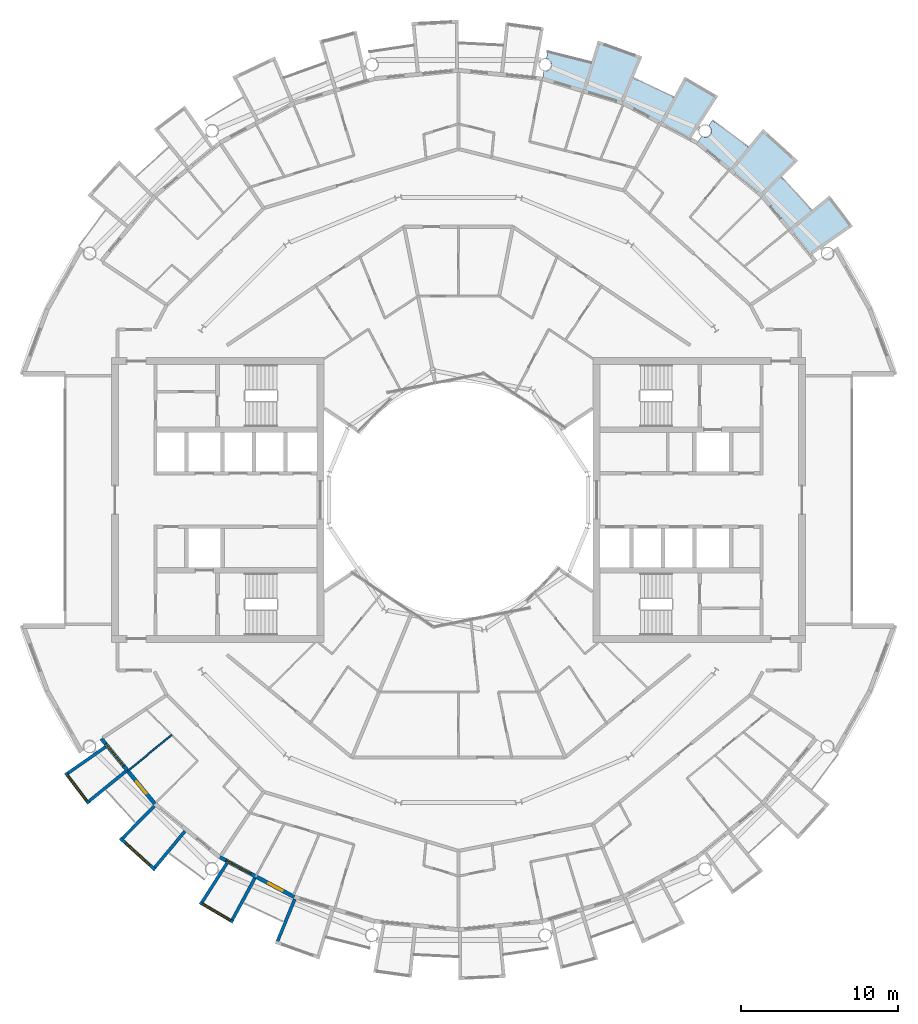
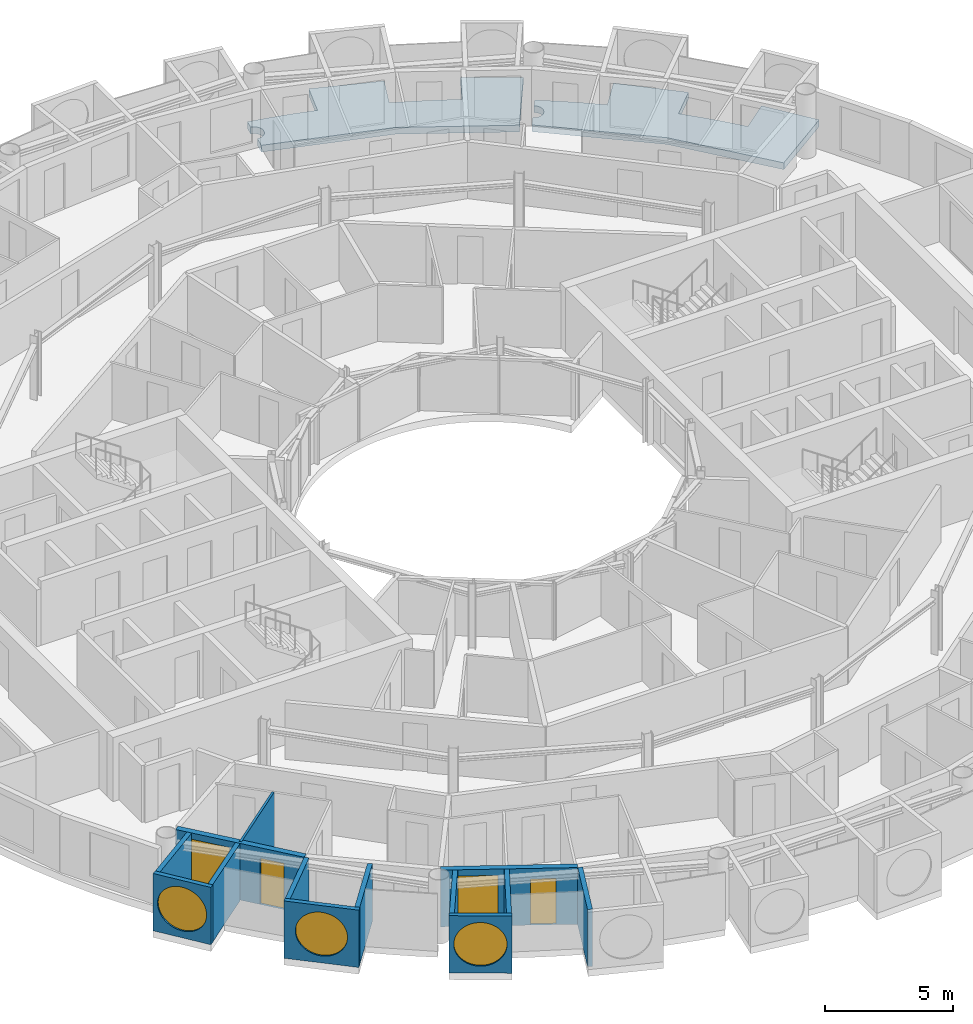
# One storey, part 14 of 27: 13 walls, 5 windows, 2 doors, 2 slabs, 7 openings.
"""IFC4 building model written with IfcOpenShell, lengths in metres."""

from ifc_helpers import new_model, si_unit, direction, frame, frame_2d, origin, place, context, subcontext, project, spatial, polyline, rectangle, circle, outline, extrude, material, layer, layer_set, type_object, element, fill, save


model = new_model("IFC4")

# Units and contexts
model_context = context("Model", 3, precision=1e-05, world=origin(), true_north=direction((0.0, 1.0)))
body_context = subcontext(model_context, "Body", "Model", "MODEL_VIEW")
ifc_project = project(units=[si_unit("LENGTHUNIT", "METRE"), si_unit("AREAUNIT", "SQUARE_METRE"), si_unit("VOLUMEUNIT", "CUBIC_METRE"), si_unit("PLANEANGLEUNIT", "RADIAN"), si_unit("MASSUNIT", "GRAM", prefix="KILO")], contexts=[model_context])

# Site, building, storey
site_placement = place(None, origin())
site = spatial("IfcSite", under=ifc_project, at=site_placement, CompositionType="ELEMENT")
building_placement = place(site_placement, origin())
building = spatial("IfcBuilding", under=site, at=building_placement, Name="Maasbend Ring Residences", CompositionType="ELEMENT")
storey_placement = place(building_placement, frame((0.0, 0.0, 199.35009765625)))
storey = spatial("IfcBuildingStorey", under=building, at=storey_placement, Name="L57", CompositionType="ELEMENT", Elevation=199.35009765625)

# Slabs
ifc_material_1 = material(Name="Concrete C40/50", Category="concrete")
ifc_layer_1 = layer(ifc_material_1, 0.199951171875)
ifc_layer_set_1 = layer_set([ifc_layer_1], Name="Concrete C40/50")
slab_type = type_object("IfcSlabType", Name="SL-LOGGIA", PredefinedType="FLOOR", material=ifc_layer_set_1)
slab_1_placement = place(storey_placement, frame((0.0, 0.0, -0.35009765625)))
element("IfcSlab", 1, at=slab_1_placement, inside=storey, type_object=slab_type, Name="Loggia floor 2", PredefinedType="FLOOR", context=body_context, shape_type="SweptSolid", body=[
    extrude(outline(polyline([(5.451904296875, 27.2548828125), (5.4619140625, 27.25390625), (5.471923828125, 27.2529296875), (5.48193359375, 27.251953125), (5.491943359375, 27.251953125), (5.501953125, 27.251953125), (5.510986328125, 27.251953125), (5.52099609375, 27.251953125), (5.531005859375, 27.2529296875), (5.541015625, 27.25390625), (5.551025390625, 27.2548828125), (5.56103515625, 27.256103515625), (5.571044921875, 27.258056640625), (5.5810546875, 27.259033203125), (5.591064453125, 27.260986328125), (5.60009765625, 27.263916015625), (5.610107421875, 27.26611328125), (5.6201171875, 27.26904296875), (5.62890625, 27.27197265625), (5.637939453125, 27.27490234375), (5.64794921875, 27.279052734375), (5.656982421875, 27.282958984375), (5.666015625, 27.285888671875), (5.675048828125, 27.291015625), (5.68408203125, 27.294921875), (5.693115234375, 27.300048828125), (5.701904296875, 27.303955078125), (5.7099609375, 27.30908203125), (5.718994140625, 27.31494140625), (5.72705078125, 27.320068359375), (5.736083984375, 27.325927734375), (5.743896484375, 27.33203125), (5.751953125, 27.337890625), (5.759033203125, 27.343994140625), (5.76708984375, 27.35009765625), (5.77392578125, 27.35693359375), (5.781982421875, 27.364013671875), (5.7890625, 27.37109375), (5.7958984375, 27.3779296875), (5.802978515625, 27.385009765625), (5.80908203125, 27.39306640625), (5.81591796875, 27.39990234375), (5.822021484375, 27.407958984375), (5.827880859375, 27.416015625), (5.833984375, 27.424072265625), (5.839111328125, 27.431884765625), (5.844970703125, 27.44091796875), (5.85009765625, 27.448974609375), (5.85498046875, 27.4580078125), (5.860107421875, 27.466064453125), (5.864990234375, 27.47509765625), (5.868896484375, 27.48388671875), (5.873046875, 27.492919921875), (5.876953125, 27.5029296875), (5.881103515625, 27.511962890625), (5.884033203125, 27.52099609375), (5.886962890625, 27.531005859375), (5.889892578125, 27.5400390625), (5.89306640625, 27.550048828125), (5.89599609375, 27.55908203125), (5.89794921875, 27.569091796875), (5.89990234375, 27.5791015625), (5.902099609375, 27.589111328125), (5.904052734375, 27.597900390625), (5.905029296875, 27.60791015625), (5.906005859375, 27.617919921875), (5.906982421875, 27.6279296875), (5.907958984375, 27.637939453125), (5.907958984375, 27.64794921875), (5.907958984375, 27.657958984375), (5.907958984375, 27.66796875), (5.907958984375, 27.677978515625), (5.906982421875, 27.68798828125), (5.906005859375, 27.697998046875), (5.905029296875, 27.7080078125), (5.904052734375, 27.718017578125), (5.902099609375, 27.72802734375), (5.89990234375, 27.737060546875), (5.89794921875, 27.7470703125), (5.89599609375, 27.757080078125), (5.89306640625, 27.76708984375), (5.889892578125, 27.77587890625), (5.886962890625, 27.785888671875), (5.884033203125, 27.794921875), (5.881103515625, 27.803955078125), (5.876953125, 27.81396484375), (5.873046875, 27.822998046875), (5.868896484375, 27.83203125), (5.864990234375, 27.841064453125), (5.860107421875, 27.85009765625), (5.85498046875, 27.85791015625), (5.85009765625, 27.866943359375), (5.844970703125, 27.8759765625), (5.839111328125, 27.884033203125), (5.833984375, 27.89208984375), (5.827880859375, 27.89990234375), (5.822021484375, 27.907958984375), (5.81591796875, 27.916015625), (5.80908203125, 27.924072265625), (5.802978515625, 27.930908203125), (5.7958984375, 27.93798828125), (5.7890625, 27.946044921875), (5.781982421875, 27.952880859375), (5.77392578125, 27.958984375), (5.76708984375, 27.966064453125), (5.759033203125, 27.971923828125), (5.751953125, 27.97900390625), (5.743896484375, 27.985107421875), (5.736083984375, 27.989990234375), (5.72705078125, 27.99609375), (5.718994140625, 28.001953125), (5.7099609375, 28.007080078125), (5.701904296875, 28.011962890625), (5.693115234375, 28.01708984375), (5.68408203125, 28.02099609375), (5.675048828125, 28.02587890625), (5.666015625, 28.030029296875), (5.656982421875, 28.033935546875), (5.64794921875, 28.037109375), (5.637939453125, 28.041015625), (5.62890625, 28.0439453125), (5.6201171875, 28.047119140625), (5.610107421875, 28.050048828125), (5.60009765625, 28.052001953125), (5.591064453125, 28.054931640625), (5.5810546875, 28.056884765625), (5.657958984375, 28.443115234375), (5.657958984375, 28.443115234375), (5.657958984375, 28.443115234375), (6.5849609375, 28.241943359375), (6.5849609375, 28.241943359375), (7.506103515625, 28.011962890625), (7.506103515625, 28.011962890625), (8.41796875, 27.7509765625), (8.41796875, 27.7509765625), (8.41796875, 27.7509765625), (8.41796875, 27.7509765625), (8.41796875, 27.7509765625), (8.41796875, 27.7509765625), (8.41796875, 27.7509765625), (8.41796875, 27.7509765625), (8.41796875, 27.7509765625), (8.41796875, 27.7509765625), (8.41796875, 27.751953125), (8.41796875, 27.751953125), (8.41796875, 27.751953125), (8.41796875, 27.751953125), (8.41796875, 27.751953125), (8.41796875, 27.751953125), (8.41796875, 27.751953125), (8.85400390625, 29.18701171875), (8.85400390625, 29.18701171875), (8.85400390625, 29.18701171875), (11.672119140625, 28.177978515625), (11.672119140625, 28.177978515625), (11.672119140625, 28.177978515625), (11.097900390625, 26.79296875), (11.097900390625, 26.79296875), (11.097900390625, 26.79296875), (11.097900390625, 26.79296875), (11.097900390625, 26.79296875), (11.097900390625, 26.79296875), (11.097900390625, 26.79296875), (11.097900390625, 26.79296875), (11.097900390625, 26.79296875), (11.097900390625, 26.79296875), (11.097900390625, 26.7919921875), (11.097900390625, 26.7919921875), (11.097900390625, 26.7919921875), (11.097900390625, 26.7919921875), (11.097900390625, 26.7919921875), (11.097900390625, 26.7919921875), (11.097900390625, 26.7919921875), (11.968994140625, 26.4150390625), (11.968994140625, 26.4150390625), (12.825927734375, 26.009033203125), (12.825927734375, 26.009033203125), (13.669921875, 25.575927734375), (13.669921875, 25.575927734375), (13.669921875, 25.575927734375), (13.669921875, 25.575927734375), (13.669921875, 25.575927734375), (13.669921875, 25.575927734375), (13.669921875, 25.575927734375), (13.669921875, 25.575927734375), (13.669921875, 25.575927734375), (13.669921875, 25.575927734375), (13.6708984375, 25.575927734375), (13.6708984375, 25.575927734375), (13.6708984375, 25.575927734375), (13.6708984375, 25.575927734375), (13.6708984375, 25.575927734375), (13.6708984375, 25.575927734375), (13.6708984375, 25.575927734375), (14.3779296875, 26.89892578125), (14.3779296875, 26.89892578125), (14.3779296875, 26.89892578125), (16.487060546875, 25.659912109375), (16.487060546875, 25.659912109375), (16.487060546875, 25.659912109375), (14.73291015625, 22.930908203125), (14.73291015625, 22.930908203125), (14.73291015625, 22.930908203125), (12.806884765625, 23.9609375), (10.447021484375, 25.221923828125), (10.447021484375, 25.221923828125), (10.447021484375, 25.221923828125), (7.886962890625, 25.9990234375), (5.325927734375, 26.77490234375), (5.325927734375, 26.77490234375), (5.325927734375, 26.77490234375), (5.422119140625, 27.259033203125), (5.431884765625, 27.258056640625), (5.44189453125, 27.256103515625), (5.451904296875, 27.2548828125)])), origin(), (0.0, 0.0, 1.0), 0.320068359375),
])
slab_2_placement = place(storey_placement, frame((0.0, 0.0, -0.35009765625)))
element("IfcSlab", 2, at=slab_2_placement, inside=storey, type_object=slab_type, Name="Loggia floor 5", PredefinedType="FLOOR", context=body_context, shape_type="SweptSolid", body=[
    extrude(outline(polyline([(15.4580078125, 23.09912109375), (15.467041015625, 23.093994140625), (15.47509765625, 23.089111328125), (15.48388671875, 23.083984375), (15.492919921875, 23.080078125), (15.501953125, 23.075927734375), (15.511962890625, 23.072021484375), (15.52099609375, 23.068115234375), (15.530029296875, 23.06494140625), (15.5400390625, 23.06103515625), (15.549072265625, 23.05810546875), (15.55908203125, 23.055908203125), (15.568115234375, 23.052978515625), (15.577880859375, 23.051025390625), (15.587890625, 23.049072265625), (15.597900390625, 23.047119140625), (15.60693359375, 23.044921875), (15.616943359375, 23.0439453125), (15.626953125, 23.04296875), (15.636962890625, 23.0419921875), (15.64697265625, 23.041015625), (15.656982421875, 23.041015625), (15.6669921875, 23.041015625), (15.677001953125, 23.041015625), (15.68701171875, 23.041015625), (15.697021484375, 23.0419921875), (15.70703125, 23.04296875), (15.717041015625, 23.0439453125), (15.72705078125, 23.044921875), (15.737060546875, 23.047119140625), (15.74609375, 23.049072265625), (15.756103515625, 23.051025390625), (15.76611328125, 23.052978515625), (15.77587890625, 23.055908203125), (15.784912109375, 23.05810546875), (15.794921875, 23.06103515625), (15.803955078125, 23.06494140625), (15.81298828125, 23.068115234375), (15.822998046875, 23.072021484375), (15.83203125, 23.075927734375), (15.841064453125, 23.080078125), (15.85009765625, 23.083984375), (15.85888671875, 23.089111328125), (15.866943359375, 23.093994140625), (15.8759765625, 23.09912109375), (15.885009765625, 23.10400390625), (15.89306640625, 23.10888671875), (15.90087890625, 23.114990234375), (15.908935546875, 23.12109375), (15.9169921875, 23.126953125), (15.925048828125, 23.133056640625), (15.93310546875, 23.139892578125), (15.93994140625, 23.14599609375), (15.947021484375, 23.153076171875), (15.955078125, 23.159912109375), (15.9619140625, 23.1669921875), (15.968017578125, 23.174072265625), (15.97509765625, 23.181884765625), (15.98095703125, 23.18994140625), (15.988037109375, 23.197021484375), (15.993896484375, 23.205078125), (15.9990234375, 23.212890625), (16.0048828125, 23.221923828125), (16.010986328125, 23.22998046875), (16.01611328125, 23.238037109375), (16.02099609375, 23.2470703125), (16.02587890625, 23.256103515625), (16.030029296875, 23.264892578125), (16.034912109375, 23.27392578125), (16.0390625, 23.282958984375), (16.04296875, 23.2919921875), (16.0458984375, 23.301025390625), (16.050048828125, 23.31005859375), (16.052978515625, 23.320068359375), (16.055908203125, 23.3291015625), (16.05908203125, 23.339111328125), (16.06103515625, 23.34912109375), (16.06396484375, 23.35791015625), (16.06591796875, 23.367919921875), (16.068115234375, 23.3779296875), (16.069091796875, 23.387939453125), (16.071044921875, 23.39794921875), (16.072021484375, 23.407958984375), (16.072021484375, 23.4169921875), (16.072998046875, 23.427001953125), (16.072998046875, 23.43701171875), (16.073974609375, 23.447021484375), (16.072998046875, 23.45703125), (16.072998046875, 23.467041015625), (16.072021484375, 23.47705078125), (16.072021484375, 23.487060546875), (16.071044921875, 23.4970703125), (16.069091796875, 23.507080078125), (16.068115234375, 23.51708984375), (16.06591796875, 23.527099609375), (16.06396484375, 23.535888671875), (16.06103515625, 23.5458984375), (16.05908203125, 23.555908203125), (16.055908203125, 23.56494140625), (16.052978515625, 23.574951171875), (16.050048828125, 23.583984375), (16.0458984375, 23.593994140625), (16.04296875, 23.60302734375), (16.0390625, 23.612060546875), (16.034912109375, 23.62109375), (16.030029296875, 23.6298828125), (16.02587890625, 23.638916015625), (16.02099609375, 23.64794921875), (16.01611328125, 23.656005859375), (16.010986328125, 23.6650390625), (16.0048828125, 23.673095703125), (15.9990234375, 23.680908203125), (15.993896484375, 23.68994140625), (15.988037109375, 23.697021484375), (15.98095703125, 23.705078125), (15.97509765625, 23.712890625), (15.968017578125, 23.719970703125), (15.9619140625, 23.72802734375), (15.955078125, 23.735107421875), (15.947021484375, 23.741943359375), (15.93994140625, 23.7490234375), (15.93310546875, 23.7548828125), (15.925048828125, 23.761962890625), (15.9169921875, 23.76806640625), (15.908935546875, 23.77392578125), (15.90087890625, 23.780029296875), (15.89306640625, 23.784912109375), (15.89306640625, 23.784912109375), (16.112060546875, 24.113037109375), (16.112060546875, 24.113037109375), (16.112060546875, 24.113037109375), (16.89208984375, 23.572998046875), (16.89208984375, 23.572998046875), (17.654052734375, 23.007080078125), (17.654052734375, 23.007080078125), (18.39697265625, 22.41796875), (18.39697265625, 22.41796875), (18.39697265625, 22.41796875), (18.39697265625, 22.41796875), (18.39697265625, 22.41796875), (18.39697265625, 22.41796875), (18.39697265625, 22.41796875), (18.39697265625, 22.41796875), (18.39697265625, 22.41796875), (18.39697265625, 22.41796875), (18.39697265625, 22.41796875), (18.39794921875, 22.41796875), (18.39794921875, 22.41796875), (18.39794921875, 22.41796875), (18.39794921875, 22.41796875), (18.39794921875, 22.41796875), (18.39794921875, 22.41796875), (19.34912109375, 23.576904296875), (19.34912109375, 23.576904296875), (19.34912109375, 23.576904296875), (21.56689453125, 21.56689453125), (21.56689453125, 21.56689453125), (21.56689453125, 21.56689453125), (20.506103515625, 20.506103515625), (20.506103515625, 20.506103515625), (20.506103515625, 20.506103515625), (20.506103515625, 20.506103515625), (20.506103515625, 20.506103515625), (20.506103515625, 20.506103515625), (20.506103515625, 20.506103515625), (20.506103515625, 20.506103515625), (20.506103515625, 20.506103515625), (20.506103515625, 20.506103515625), (20.506103515625, 20.506103515625), (20.506103515625, 20.506103515625), (20.506103515625, 20.506103515625), (20.506103515625, 20.506103515625), (20.506103515625, 20.506103515625), (20.506103515625, 20.506103515625), (20.506103515625, 20.506103515625), (21.166015625, 19.823974609375), (21.166015625, 19.823974609375), (21.802978515625, 19.12109375), (21.802978515625, 19.12109375), (22.4169921875, 18.39794921875), (22.4169921875, 18.39794921875), (22.4169921875, 18.39794921875), (22.4169921875, 18.39794921875), (22.4169921875, 18.39794921875), (22.4169921875, 18.39794921875), (22.4169921875, 18.39794921875), (22.4169921875, 18.39794921875), (22.4169921875, 18.39794921875), (22.4169921875, 18.39794921875), (22.4169921875, 18.39794921875), (22.4169921875, 18.39794921875), (22.41796875, 18.39794921875), (22.41796875, 18.39794921875), (22.41796875, 18.39794921875), (22.41796875, 18.39794921875), (22.41796875, 18.39794921875), (23.576904296875, 19.34912109375), (23.576904296875, 19.34912109375), (23.576904296875, 19.34912109375), (25.051025390625, 17.39794921875), (25.051025390625, 17.39794921875), (25.051025390625, 17.39794921875), (22.386962890625, 15.547119140625), (22.386962890625, 15.547119140625), (22.386962890625, 15.547119140625), (21.001953125, 17.236083984375), (19.303955078125, 19.303955078125), (19.303955078125, 19.303955078125), (19.303955078125, 19.303955078125), (17.236083984375, 21.001953125), (15.1669921875, 22.698974609375), (15.1669921875, 22.698974609375), (15.1669921875, 22.698974609375), (15.44091796875, 23.10888671875), (15.44091796875, 23.10888671875), (15.449951171875, 23.10400390625), (15.4580078125, 23.09912109375)])), origin(), (0.0, 0.0, 1.0), 0.320068359375),
])

# Wall, opening, window
ifc_material_2 = material(Name="Pale anodised aluminium panel", Category="aluminium")
ifc_layer_2 = layer(ifc_material_2, 0.199951171875)
ifc_layer_set_2 = layer_set([ifc_layer_2], Name="EW-BOX")
wall_type_1 = type_object("IfcWallType", Name="EW-BOX", PredefinedType="SOLIDWALL", material=ifc_layer_set_2)
wall_1_placement = place(storey_placement, frame((-24.971923828125, -17.3369140625, -0.030029296875), z_axis=(0.0, 0.0, 1.0), x_axis=(0.602806268067, -0.797887588059, 0.0)))
wall_1 = element("IfcWall", 3, at=wall_1_placement, inside=storey, type_object=wall_type_1, Name="Box front S01", PredefinedType="SOLIDWALL", context=body_context, shape_type="SweptSolid", body=[
    extrude(rectangle(XDim=2.446533203125, YDim=0.199951171875, at=frame_2d((1.22314453125, 0.0))), origin(), (0.0, 0.0, 1.0), 2.72998046875),
])
opening_1_placement = place(wall_1_placement, frame((0.182861328125, 0.0, 0.330078125)))
opening_1 = element("IfcOpeningElement", 4, at=opening_1_placement, cuts=wall_1, Name="Opening W-RD", PredefinedType="OPENING", context=body_context, shape_type="SweptSolid", body=[
    extrude(circle(Radius=1.0400390625, at=frame_2d((1.0400390625, 1.0400390625))), frame((0.0, 0.10986328125, 0.0), z_axis=(0.0, -1.0, 0.0), x_axis=(1.0, 0.0, 0.0)), (0.0, 0.0, 1.0), 0.219970703125),
])
ifc_material_3 = material(Name="Aluminium and clear glass", Category="aluminium")
window_type_1 = type_object("IfcWindowType", Name="W-RD", PartitioningType="SINGLE_PANEL", PredefinedType="WINDOW", material=ifc_material_3)
window_1_placement = place(opening_1_placement, origin())
window_1 = element("IfcWindow", 5, at=window_1_placement, inside=storey, type_object=window_type_1, Name="Round window S01", OverallHeight=2.080078125, OverallWidth=2.080078125, PartitioningType="SINGLE_PANEL", PredefinedType="WINDOW", context=body_context, shape_type="SweptSolid", body=[
    extrude(circle(Radius=1.0400390625, at=frame_2d((1.0400390625, 1.0400390625))), frame((0.0, 0.030029296875, 0.0), z_axis=(0.0, -1.0, 0.0), x_axis=(1.0, 0.0, 0.0)), (0.0, 0.0, 1.0), 0.06005859375),
])
fill(opening_1, window_1)

# Walls
wall_2_placement = place(storey_placement, frame((-22.43310546875, -15.68798828125, -0.030029296875), z_axis=(0.0, 0.0, 1.0), x_axis=(-0.819373043115, -0.573260687834, 0.0)))
element("IfcWall", 6, at=wall_2_placement, inside=storey, type_object=wall_type_1, Name="Box side wall S01 left", PredefinedType="SOLIDWALL", context=body_context, shape_type="SweptSolid", body=[
    extrude(rectangle(XDim=2.92529296875, YDim=0.199951171875, at=frame_2d((1.462646484375, 0.0))), origin(), (0.0, 0.0, 1.0), 2.72998046875),
])
wall_3_placement = place(storey_placement, frame((-21.155029296875, -17.24609375, -0.030029296875), z_axis=(0.0, 0.0, 1.0), x_axis=(-0.775179004516, -0.631741648902, 0.0)))
element("IfcWall", 7, at=wall_3_placement, inside=storey, type_object=wall_type_1, Name="Box side wall S01 right", PredefinedType="SOLIDWALL", context=body_context, shape_type="SweptSolid", body=[
    extrude(rectangle(XDim=3.005859375, YDim=0.199951171875, at=frame_2d((1.5029296875, 0.0))), origin(), (0.0, 0.0, 1.0), 2.72998046875),
])

# Wall, opening, window
wall_4_placement = place(storey_placement, frame((-21.5, -21.492919921875, -0.030029296875), z_axis=(0.0, 0.0, 1.0), x_axis=(0.740998365753, -0.671506829416, 0.0)))
wall_4 = element("IfcWall", 8, at=wall_4_placement, inside=storey, type_object=wall_type_1, Name="Box front S03", PredefinedType="SOLIDWALL", context=body_context, shape_type="SweptSolid", body=[
    extrude(rectangle(XDim=2.9931640625, YDim=0.199951171875, at=frame_2d((1.49658203125, 0.0))), origin(), (0.0, 0.0, 1.0), 2.72998046875),
])
opening_2_placement = place(wall_4_placement, frame((0.45654296875, 0.0, 0.330078125)))
opening_2 = element("IfcOpeningElement", 9, at=opening_2_placement, cuts=wall_4, Name="Opening W-RD", PredefinedType="OPENING", context=body_context, shape_type="SweptSolid", body=[
    extrude(circle(Radius=1.0400390625, at=frame_2d((1.0400390625, 1.0400390625))), frame((0.0, 0.10986328125, 0.0), z_axis=(0.0, -1.0, 0.0), x_axis=(1.0, 0.0, 0.0)), (0.0, 0.0, 1.0), 0.219970703125),
])
window_2_placement = place(opening_2_placement, origin())
window_2 = element("IfcWindow", 10, at=window_2_placement, inside=storey, type_object=window_type_1, Name="Round window S03", OverallHeight=2.080078125, OverallWidth=2.080078125, PartitioningType="SINGLE_PANEL", PredefinedType="WINDOW", context=body_context, shape_type="SweptSolid", body=[
    extrude(circle(Radius=1.0400390625, at=frame_2d((1.0400390625, 1.0400390625))), frame((0.0, 0.030029296875, 0.0), z_axis=(0.0, -1.0, 0.0), x_axis=(1.0, 0.0, 0.0)), (0.0, 0.0, 1.0), 0.06005859375),
])
fill(opening_2, window_2)

# Walls
wall_5_placement = place(storey_placement, frame((-19.322998046875, -19.449951171875, -0.030029296875), z_axis=(0.0, 0.0, 1.0), x_axis=(-0.704476739375, -0.709727076896, 0.0)))
element("IfcWall", 11, at=wall_5_placement, inside=storey, type_object=wall_type_1, Name="Box side wall S03 left", PredefinedType="SOLIDWALL", context=body_context, shape_type="SweptSolid", body=[
    extrude(rectangle(XDim=2.883056640625, YDim=0.199951171875, at=frame_2d((1.44140625, 0.0))), origin(), (0.0, 0.0, 1.0), 2.72998046875),
])
wall_6_placement = place(storey_placement, frame((-17.384033203125, -21.041015625, -0.030029296875), z_axis=(0.0, 0.0, 1.0), x_axis=(-0.63709551667, -0.770784861449, 0.0)))
element("IfcWall", 12, at=wall_6_placement, inside=storey, type_object=wall_type_1, Name="Box side wall S03 right", PredefinedType="SOLIDWALL", context=body_context, shape_type="SweptSolid", body=[
    extrude(rectangle(XDim=3.005859375, YDim=0.199951171875, at=frame_2d((1.5029296875, 0.0))), origin(), (0.0, 0.0, 1.0), 2.72998046875),
])

# Wall, opening, window
wall_7_placement = place(storey_placement, frame((-16.43603515625, -25.573974609375, -0.030029296875), z_axis=(0.0, 0.0, 1.0), x_axis=(0.862403467503, -0.506221551535, 0.0)))
wall_7 = element("IfcWall", 13, at=wall_7_placement, inside=storey, type_object=wall_type_1, Name="Box front S05", PredefinedType="SOLIDWALL", context=body_context, shape_type="SweptSolid", body=[
    extrude(rectangle(XDim=2.445556640625, YDim=0.199951171875, at=frame_2d((1.22265625, 0.0))), origin(), (0.0, 0.0, 1.0), 2.72998046875),
])
opening_3_placement = place(wall_7_placement, frame((0.182861328125, 0.0, 0.330078125)))
opening_3 = element("IfcOpeningElement", 14, at=opening_3_placement, cuts=wall_7, Name="Opening W-RD", PredefinedType="OPENING", context=body_context, shape_type="SweptSolid", body=[
    extrude(circle(Radius=1.0400390625, at=frame_2d((1.0400390625, 1.0400390625))), frame((0.0, 0.10986328125, 0.0), z_axis=(0.0, -1.0, 0.0), x_axis=(1.0, 0.0, 0.0)), (0.0, 0.0, 1.0), 0.219970703125),
])
window_3_placement = place(opening_3_placement, origin())
window_3 = element("IfcWindow", 15, at=window_3_placement, inside=storey, type_object=window_type_1, Name="Round window S05", OverallHeight=2.080078125, OverallWidth=2.080078125, PartitioningType="SINGLE_PANEL", PredefinedType="WINDOW", context=body_context, shape_type="SweptSolid", body=[
    extrude(circle(Radius=1.0400390625, at=frame_2d((1.0400390625, 1.0400390625))), frame((0.0, 0.030029296875, 0.0), z_axis=(0.0, -1.0, 0.0), x_axis=(1.0, 0.0, 0.0)), (0.0, 0.0, 1.0), 0.06005859375),
])
fill(opening_3, window_3)

# Walls
wall_8_placement = place(storey_placement, frame((-14.721923828125, -23.0791015625, -0.030029296875), z_axis=(0.0, 0.0, 1.0), x_axis=(-0.537572179146, -0.843217737129, 0.0)))
element("IfcWall", 16, at=wall_8_placement, inside=storey, type_object=wall_type_1, Name="Box side wall S05 left", PredefinedType="SOLIDWALL", context=body_context, shape_type="SweptSolid", body=[
    extrude(rectangle(XDim=2.92431640625, YDim=0.199951171875, at=frame_2d((1.462158203125, 0.0))), origin(), (0.0, 0.0, 1.0), 2.72998046875),
])
wall_9_placement = place(storey_placement, frame((-12.945068359375, -24.029052734375, -0.030029296875), z_axis=(0.0, 0.0, 1.0), x_axis=(-0.474424310775, -0.88029629861, 0.0)))
element("IfcWall", 17, at=wall_9_placement, inside=storey, type_object=wall_type_1, Name="Box side wall S05 right", PredefinedType="SOLIDWALL", context=body_context, shape_type="SweptSolid", body=[
    extrude(rectangle(XDim=3.005859375, YDim=0.199951171875, at=frame_2d((1.5029296875, 0.0))), origin(), (0.0, 0.0, 1.0), 2.72998046875),
])
wall_10_placement = place(storey_placement, frame((-10.408935546875, -25.364013671875, -0.030029296875), z_axis=(0.0, 0.0, 1.0), x_axis=(-0.379509886562, -0.925187681501, 0.0)))
element("IfcWall", 18, at=wall_10_placement, inside=storey, type_object=wall_type_1, Name="Box side wall S07 left", PredefinedType="SOLIDWALL", context=body_context, shape_type="SweptSolid", body=[
    extrude(rectangle(XDim=2.882568359375, YDim=0.199951171875, at=frame_2d((1.44140625, 0.0))), origin(), (0.0, 0.0, 1.0), 2.72998046875),
])

# Wall, openings, door, window
ifc_material_4 = material(Name="Aluminium clad insulated panel", Category="aluminium")
ifc_layer_3 = layer(ifc_material_4, 0.25)
ifc_layer_set_3 = layer_set([ifc_layer_3], Name="EW-GL")
wall_type_2 = type_object("IfcWallType", Name="EW-GL", PredefinedType="SOLIDWALL", material=ifc_layer_set_3)
wall_11_placement = place(storey_placement, frame((-22.698974609375, -15.1669921875, 0.0), z_axis=(0.0, 0.0, 1.0), x_axis=(0.634382322723, -0.773019449054, 0.0)))
wall_11 = element("IfcWall", 19, at=wall_11_placement, inside=storey, type_object=wall_type_2, Name="External wall S01", PredefinedType="SOLIDWALL", context=body_context, shape_type="SweptSolid", body=[
    extrude(rectangle(XDim=5.351806640625, YDim=0.25, at=frame_2d((2.67578125, 0.0))), origin(), (0.0, 0.0, 1.0), 2.699951171875),
])
opening_4_placement = place(wall_11_placement, frame((0.441162109375, 0.0, 0.300048828125)))
opening_4 = element("IfcOpeningElement", 20, at=opening_4_placement, cuts=wall_11, Name="Opening W-BX", PredefinedType="OPENING", context=body_context, shape_type="SweptSolid", body=[
    extrude(rectangle(XDim=1.800048828125, YDim=2.10009765625, at=frame_2d((0.89990234375, 1.050048828125))), frame((0.0, 0.135009765625, 0.0), z_axis=(0.0, -1.0, 0.0), x_axis=(1.0, 0.0, 0.0)), (0.0, 0.0, 1.0), 0.27001953125),
])
opening_5_placement = place(wall_11_placement, frame((3.510498046875, 0.0, 0.0)))
opening_5 = element("IfcOpeningElement", 21, at=opening_5_placement, cuts=wall_11, Name="Opening D-LG", PredefinedType="OPENING", context=body_context, shape_type="SweptSolid", body=[
    extrude(rectangle(XDim=1.0, YDim=2.199951171875, at=frame_2d((0.5, 1.10009765625))), frame((0.0, 0.135009765625, 0.0), z_axis=(0.0, -1.0, 0.0), x_axis=(1.0, 0.0, 0.0)), (0.0, 0.0, 1.0), 0.27001953125),
])
ifc_material_5 = material(Name="Aluminium and clear glass", Category="aluminium")
door_type = type_object("IfcDoorType", Name="D-LG", OperationType="SINGLE_SWING_LEFT", PredefinedType="DOOR", material=ifc_material_5)
door_1_placement = place(opening_5_placement, origin())
door_1 = element("IfcDoor", 22, at=door_1_placement, inside=storey, type_object=door_type, Name="Loggia door S02", OperationType="SINGLE_SWING_LEFT", OverallHeight=2.199951171875, OverallWidth=1.0, PredefinedType="DOOR", context=body_context, shape_type="SweptSolid", body=[
    extrude(rectangle(XDim=1.0, YDim=2.199951171875, at=frame_2d((0.5, 1.10009765625))), frame((0.0, 0.02490234375, 0.0), z_axis=(0.0, -1.0, 0.0), x_axis=(1.0, 0.0, 0.0)), (0.0, 0.0, 1.0), 0.050048828125),
])
fill(opening_5, door_1)
ifc_material_6 = material(Name="Aluminium and clear glass", Category="aluminium")
window_type_2 = type_object("IfcWindowType", Name="W-BX", PartitioningType="DOUBLE_PANEL_VERTICAL", PredefinedType="WINDOW", material=ifc_material_6)
window_4_placement = place(opening_4_placement, origin())
window_4 = element("IfcWindow", 23, at=window_4_placement, inside=storey, type_object=window_type_2, Name="Window S01 room to box", OverallHeight=2.10009765625, OverallWidth=1.800048828125, PartitioningType="SINGLE_PANEL", PredefinedType="WINDOW", context=body_context, shape_type="SweptSolid", body=[
    extrude(rectangle(XDim=1.800048828125, YDim=2.10009765625, at=frame_2d((0.89990234375, 1.050048828125))), frame((0.0, 0.030029296875, 0.0), z_axis=(0.0, -1.0, 0.0), x_axis=(1.0, 0.0, 0.0)), (0.0, 0.0, 1.0), 0.06005859375),
])
fill(opening_4, window_4)

wall_12_placement = place(storey_placement, frame((-15.1669921875, -22.698974609375, 0.0), z_axis=(0.0, 0.0, 1.0), x_axis=(0.881915646801, -0.471407246368, 0.0)))
wall_12 = element("IfcWall", 24, at=wall_12_placement, inside=storey, type_object=wall_type_2, Name="External wall S03", PredefinedType="SOLIDWALL", context=body_context, shape_type="SweptSolid", body=[
    extrude(rectangle(XDim=5.35205078125, YDim=0.25, at=frame_2d((2.676025390625, 0.0))), origin(), (0.0, 0.0, 1.0), 2.699951171875),
])
opening_6_placement = place(wall_12_placement, frame((0.441162109375, 0.0, 0.300048828125)))
opening_6 = element("IfcOpeningElement", 25, at=opening_6_placement, cuts=wall_12, Name="Opening W-BX", PredefinedType="OPENING", context=body_context, shape_type="SweptSolid", body=[
    extrude(rectangle(XDim=1.800048828125, YDim=2.10009765625, at=frame_2d((0.89990234375, 1.050048828125))), frame((0.0, 0.135009765625, 0.0), z_axis=(0.0, -1.0, 0.0), x_axis=(1.0, 0.0, 0.0)), (0.0, 0.0, 1.0), 0.27001953125),
])
opening_7_placement = place(wall_12_placement, frame((3.510498046875, 0.0, 0.0)))
opening_7 = element("IfcOpeningElement", 26, at=opening_7_placement, cuts=wall_12, Name="Opening D-LG", PredefinedType="OPENING", context=body_context, shape_type="SweptSolid", body=[
    extrude(rectangle(XDim=1.0, YDim=2.199951171875, at=frame_2d((0.5, 1.10009765625))), frame((0.0, 0.135009765625, 0.0), z_axis=(0.0, -1.0, 0.0), x_axis=(1.0, 0.0, 0.0)), (0.0, 0.0, 1.0), 0.27001953125),
])
door_2_placement = place(opening_7_placement, origin())
door_2 = element("IfcDoor", 27, at=door_2_placement, inside=storey, type_object=door_type, Name="Loggia door S06", OperationType="SINGLE_SWING_LEFT", OverallHeight=2.199951171875, OverallWidth=1.0, PredefinedType="DOOR", context=body_context, shape_type="SweptSolid", body=[
    extrude(rectangle(XDim=1.0, YDim=2.199951171875, at=frame_2d((0.5, 1.10009765625))), frame((0.0, 0.02490234375, 0.0), z_axis=(0.0, -1.0, 0.0), x_axis=(1.0, 0.0, 0.0)), (0.0, 0.0, 1.0), 0.050048828125),
])
fill(opening_7, door_2)
window_5_placement = place(opening_6_placement, origin())
window_5 = element("IfcWindow", 28, at=window_5_placement, inside=storey, type_object=window_type_2, Name="Window S05 room to box", OverallHeight=2.10009765625, OverallWidth=1.800048828125, PartitioningType="SINGLE_PANEL", PredefinedType="WINDOW", context=body_context, shape_type="SweptSolid", body=[
    extrude(rectangle(XDim=1.800048828125, YDim=2.10009765625, at=frame_2d((0.89990234375, 1.050048828125))), frame((0.0, 0.030029296875, 0.0), z_axis=(0.0, -1.0, 0.0), x_axis=(1.0, 0.0, 0.0)), (0.0, 0.0, 1.0), 0.06005859375),
])
fill(opening_6, window_5)

# Wall
ifc_material_7 = material(Name="Gypsum board on steel studs", Category="steel")
ifc_layer_4 = layer(ifc_material_7, 0.10009765625)
ifc_layer_set_4 = layer_set([ifc_layer_4], Name="PARTITION 100 GYPSUM")
wall_type_3 = type_object("IfcWallType", Name="PARTITION 100 GYPSUM", PredefinedType="PARTITIONING", material=ifc_layer_set_4)
wall_13_placement = place(storey_placement, frame((-21.02294921875, -17.219970703125, 0.0), z_axis=(0.0, 0.0, 1.0), x_axis=(0.773548271597, 0.633737383709, 0.0)))
element("IfcWall", 29, at=wall_13_placement, inside=storey, type_object=wall_type_3, Name="U-L57-w035", PredefinedType="PARTITIONING", context=body_context, shape_type="SweptSolid", body=[
    extrude(rectangle(XDim=3.6181640625, YDim=0.10009765625, at=frame_2d((1.80908203125, 0.0))), origin(), (0.0, 0.0, 1.0), 2.699951171875),
])

save(model, "model.ifc")
